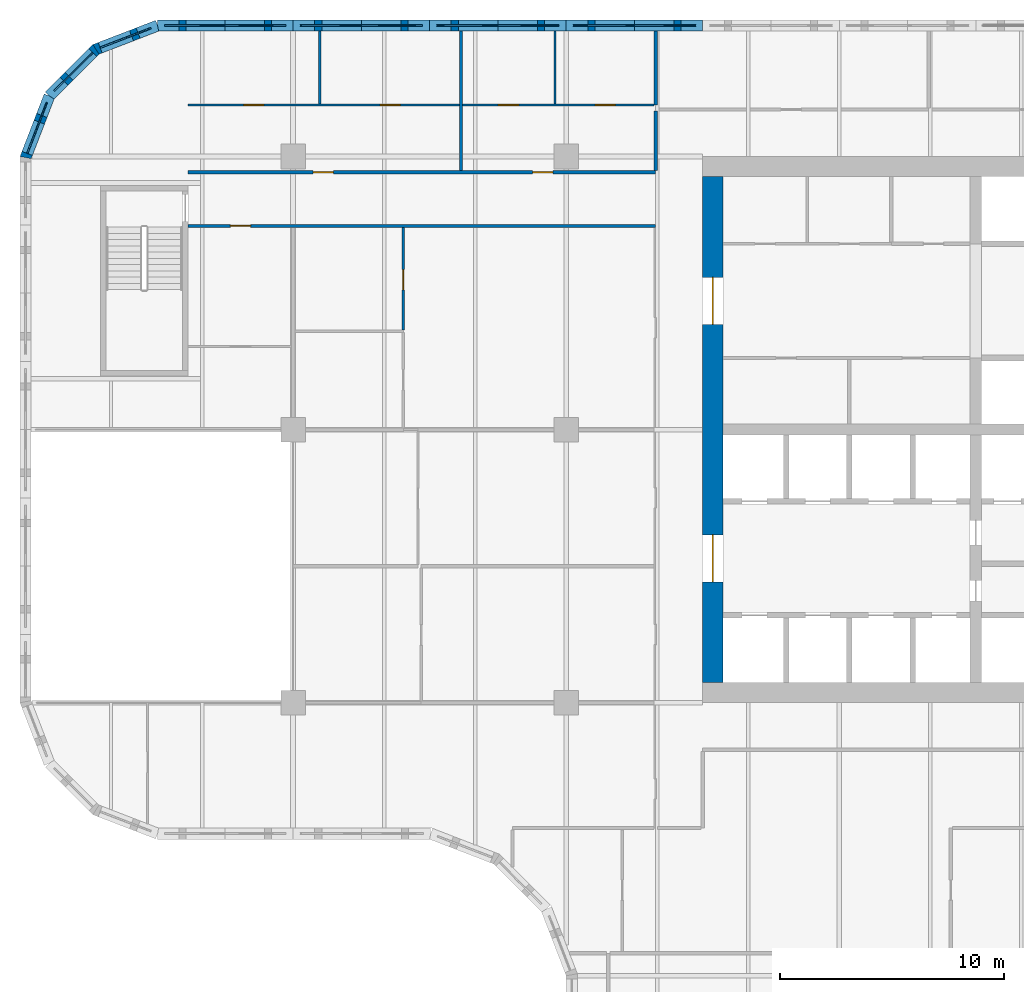
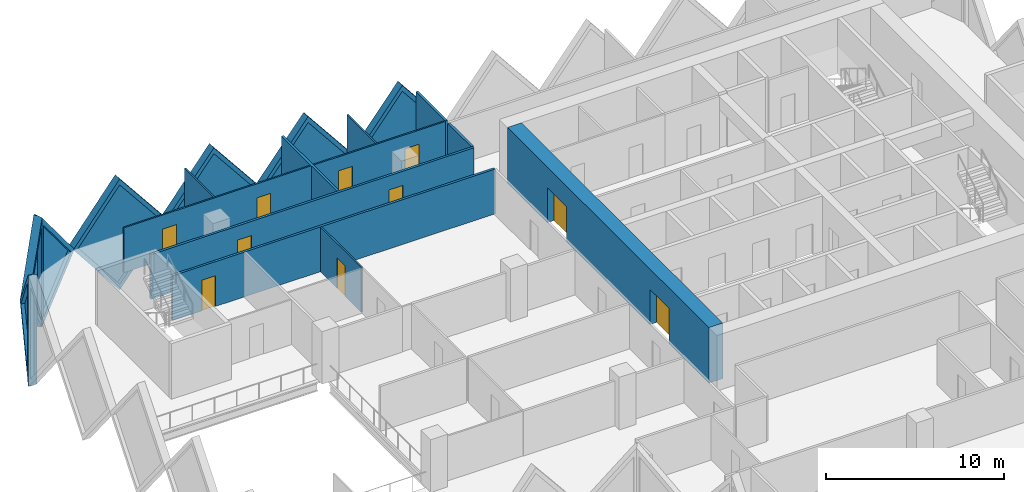
# One storey, part 8 of 18: 18 walls, 10 doors, 7 plates, 17 openings.
"""IFC4 building model written with IfcOpenShell, lengths in metres."""

from ifc_helpers import new_model, si_unit, direction, frame, frame_2d, origin, place, context, subcontext, project, spatial, polyline, rectangle, outline, extrude, faceted_brep, source, transform, mapped, material, layer, layer_set, type_object, element, fill, save


model = new_model("IFC4")

# Units and contexts
model_context = context("Model", 3, precision=1e-05, world=origin(), true_north=direction((0.0, 1.0)))
body_context = subcontext(model_context, "Body", "Model", "MODEL_VIEW")
ifc_project = project(units=[si_unit("LENGTHUNIT", "METRE"), si_unit("AREAUNIT", "SQUARE_METRE"), si_unit("VOLUMEUNIT", "CUBIC_METRE"), si_unit("PLANEANGLEUNIT", "RADIAN"), si_unit("MASSUNIT", "GRAM", prefix="KILO")], contexts=[model_context])

# Site, building, storey
site_placement = place(None, origin())
site = spatial("IfcSite", under=ifc_project, at=site_placement, CompositionType="ELEMENT")
building_placement = place(site_placement, origin())
building = spatial("IfcBuilding", under=site, at=building_placement, Name="Tessera Gate Towers", CompositionType="ELEMENT")
storey_placement = place(building_placement, frame((0.0, 0.0, 37.199951171875)))
storey = spatial("IfcBuildingStorey", under=building, at=storey_placement, Name="L08", CompositionType="ELEMENT", Elevation=37.199951171875)

# Wall, openings, doors
ifc_material_1 = material(Name="Concrete C70/85", Category="concrete")
ifc_layer_1 = layer(ifc_material_1, 0.89990234375)
ifc_layer_set_1 = layer_set([ifc_layer_1], Name="CORE SHEAR WALL 900 C70/85")
wall_type_1 = type_object("IfcWallType", Name="CORE SHEAR WALL 900 C70/85", PredefinedType="SHEAR", material=ifc_layer_set_1)
wall_1_placement = place(storey_placement, frame((30.949951171875, 25.300048828125, 0.0), z_axis=(0.0, 0.0, 1.0), x_axis=(0.0, 1.0, 0.0)))
wall_1 = element("IfcWall", 1, at=wall_1_placement, inside=storey, type_object=wall_type_1, Name="Core wall W L08", PredefinedType="SHEAR", context=body_context, shape_type="SweptSolid", body=[
    extrude(rectangle(XDim=22.599853515625, YDim=0.89990234375, at=frame_2d((11.2998046875, 0.0))), origin(), (0.0, 0.0, 1.0), 3.800048828125),
])
shared_shape_1 = source(origin(), body_context, "Body", "SweptSolid", [
    extrude(rectangle(XDim=2.10009765625, YDim=2.39990234375, at=frame_2d((1.050048828125, 1.199951171875))), frame((0.0, 0.4599609375, 0.0), z_axis=(0.0, -1.0, 0.0), x_axis=(1.0, 0.0, 0.0)), (0.0, 0.0, 1.0), 0.919921875),
])
opening_1_placement = place(wall_1_placement, frame((4.5, 0.0, 0.0)))
opening_1 = element("IfcOpeningElement", 2, at=opening_1_placement, cuts=wall_1, Name="Opening DD-T1-07-02", PredefinedType="OPENING", context=body_context, shape_type="MappedRepresentation", body=[
    mapped(shared_shape_1, transform((0.0, 0.0, 0.0), scale=1.0)),
])
opening_2_placement = place(wall_1_placement, frame((16.0, 0.0, 0.0)))
opening_2 = element("IfcOpeningElement", 3, at=opening_2_placement, cuts=wall_1, Name="Opening DD-T1-07-03", PredefinedType="OPENING", context=body_context, shape_type="MappedRepresentation", body=[
    mapped(shared_shape_1, transform((0.0, 0.0, 0.0), scale=1.0)),
])
ifc_material_2 = material(Name="Hollow steel fire door", Category="steel")
door_type_1 = type_object("IfcDoorType", Name="CORE DOOR DD 2100x2400", OperationType="NOTDEFINED", PredefinedType="DOOR", material=ifc_material_2)
shared_shape_2 = source(origin(), body_context, "Body", "SweptSolid", [
    extrude(rectangle(XDim=2.10009765625, YDim=2.39990234375, at=frame_2d((1.050048828125, 1.199951171875))), frame((0.0, 0.02490234375, 0.0), z_axis=(0.0, -1.0, 0.0), x_axis=(1.0, 0.0, 0.0)), (0.0, 0.0, 1.0), 0.050048828125),
])
door_1_placement = place(opening_1_placement, origin())
door_1 = element("IfcDoor", 4, at=door_1_placement, inside=storey, type_object=door_type_1, Name="Core entrance door", OperationType="DOUBLE_DOOR_SINGLE_SWING", OverallHeight=2.39990234375, OverallWidth=2.10009765625, PredefinedType="DOOR", context=body_context, shape_type="MappedRepresentation", body=[
    mapped(shared_shape_2, transform((0.0, 0.0, 0.0), scale=1.0)),
])
fill(opening_1, door_1)
door_2_placement = place(opening_2_placement, origin())
door_2 = element("IfcDoor", 5, at=door_2_placement, inside=storey, type_object=door_type_1, Name="Core entrance door", OperationType="DOUBLE_DOOR_SINGLE_SWING", OverallHeight=2.39990234375, OverallWidth=2.10009765625, PredefinedType="DOOR", context=body_context, shape_type="MappedRepresentation", body=[
    mapped(shared_shape_2, transform((0.0, 0.0, 0.0), scale=1.0)),
])
fill(opening_2, door_2)

# Wall, opening, door
ifc_material_3 = material(Name="Gypsum board on steel studs, mineral wool", Category="steel")
ifc_layer_2 = layer(ifc_material_3, 0.14990234375)
ifc_layer_set_2 = layer_set([ifc_layer_2], Name="CORRIDOR WALL 150")
wall_type_2 = type_object("IfcWallType", Name="CORRIDOR WALL 150", PredefinedType="PARTITIONING", material=ifc_layer_set_2)
wall_2_placement = place(storey_placement, frame((28.39990234375, 45.699951171875, 0.0), z_axis=(0.0, 0.0, 1.0), x_axis=(-1.0, 0.0, 0.0)))
wall_2 = element("IfcWall", 6, at=wall_2_placement, inside=storey, type_object=wall_type_2, Name="T1-L08-PW-042", PredefinedType="PARTITIONING", context=body_context, shape_type="SweptSolid", body=[
    extrude(rectangle(XDim=20.89990234375, YDim=0.14990234375, at=frame_2d((10.449951171875, 0.0))), origin(), (0.0, 0.0, 1.0), 3.067138671875),
])
shared_shape_3 = source(origin(), body_context, "Body", "SweptSolid", [
    extrude(rectangle(XDim=0.89990234375, YDim=2.10009765625, at=frame_2d((0.449951171875, 1.050048828125))), frame((0.0, 0.0849609375, 0.0), z_axis=(0.0, -1.0, 0.0), x_axis=(1.0, 0.0, 0.0)), (0.0, 0.0, 1.0), 0.169921875),
])
opening_3_placement = place(wall_2_placement, frame((18.10009765625, 0.0, 0.0)))
opening_3 = element("IfcOpeningElement", 7, at=opening_3_placement, cuts=wall_2, Name="Opening D890FD60-A03-02", PredefinedType="OPENING", context=body_context, shape_type="MappedRepresentation", body=[
    mapped(shared_shape_3, transform((0.0, 0.0, 0.0), scale=1.0)),
])
ifc_material_4 = material(Name="Timber door leaf in steel frame", Category="steel")
door_type_2 = type_object("IfcDoorType", Name="CORRIDOR DOOR 900 FD60", OperationType="NOTDEFINED", PredefinedType="DOOR", material=ifc_material_4)
shared_shape_4 = source(origin(), body_context, "Body", "SweptSolid", [
    extrude(rectangle(XDim=0.89990234375, YDim=2.10009765625, at=frame_2d((0.449951171875, 1.050048828125))), frame((0.0, 0.02490234375, 0.0), z_axis=(0.0, -1.0, 0.0), x_axis=(1.0, 0.0, 0.0)), (0.0, 0.0, 1.0), 0.050048828125),
])
door_3_placement = place(opening_3_placement, origin())
door_3 = element("IfcDoor", 8, at=door_3_placement, inside=storey, type_object=door_type_2, Name="T1-L08-PD-007", OperationType="SINGLE_SWING_RIGHT", OverallHeight=2.10009765625, OverallWidth=0.89990234375, PredefinedType="DOOR", context=body_context, shape_type="MappedRepresentation", body=[
    mapped(shared_shape_4, transform((0.0, 0.0, 0.0), scale=1.0)),
])
fill(opening_3, door_3)

# Wall, openings, doors
wall_3_placement = place(storey_placement, frame((7.5, 48.10009765625, 0.0), z_axis=(0.0, 0.0, 1.0), x_axis=(1.0, 0.0, 0.0)))
wall_3 = element("IfcWall", 9, at=wall_3_placement, inside=storey, type_object=wall_type_2, Name="T1-L08-PW-043", PredefinedType="PARTITIONING", context=body_context, shape_type="SweptSolid", body=[
    extrude(rectangle(XDim=20.89990234375, YDim=0.14990234375, at=frame_2d((10.449951171875, 0.0))), origin(), (0.0, 0.0, 1.0), 3.067138671875),
])
opening_4_placement = place(wall_3_placement, frame((15.40087890625, 0.0, 0.0)))
opening_4 = element("IfcOpeningElement", 10, at=opening_4_placement, cuts=wall_3, Name="Opening D890FD60-A03-07", PredefinedType="OPENING", context=body_context, shape_type="MappedRepresentation", body=[
    mapped(shared_shape_3, transform((0.0, 0.0, 0.0), scale=1.0)),
])
opening_5_placement = place(wall_3_placement, frame((5.60009765625, 0.0, 0.0)))
opening_5 = element("IfcOpeningElement", 11, at=opening_5_placement, cuts=wall_3, Name="Opening D890FD60-A03-12", PredefinedType="OPENING", context=body_context, shape_type="MappedRepresentation", body=[
    mapped(shared_shape_3, transform((0.0, 0.0, 0.0), scale=1.0)),
])
door_4_placement = place(opening_4_placement, origin())
door_4 = element("IfcDoor", 12, at=door_4_placement, inside=storey, type_object=door_type_2, Name="T1-L08-PD-022", OperationType="SINGLE_SWING_LEFT", OverallHeight=2.10009765625, OverallWidth=0.89990234375, PredefinedType="DOOR", context=body_context, shape_type="MappedRepresentation", body=[
    mapped(shared_shape_4, transform((0.0, 0.0, 0.0), scale=1.0)),
])
fill(opening_4, door_4)
door_5_placement = place(opening_5_placement, origin())
door_5 = element("IfcDoor", 13, at=door_5_placement, inside=storey, type_object=door_type_2, Name="T1-L08-PD-029", OperationType="SINGLE_SWING_LEFT", OverallHeight=2.10009765625, OverallWidth=0.89990234375, PredefinedType="DOOR", context=body_context, shape_type="MappedRepresentation", body=[
    mapped(shared_shape_4, transform((0.0, 0.0, 0.0), scale=1.0)),
])
fill(opening_5, door_5)

# Wall
wall_4_placement = place(storey_placement, frame((28.39990234375, 48.176025390625, 0.0), z_axis=(0.0, 0.0, 1.0), x_axis=(0.0, 1.0, 0.0)))
element("IfcWall", 14, at=wall_4_placement, inside=storey, type_object=wall_type_2, Name="T1-L08-PW-045", PredefinedType="PARTITIONING", context=body_context, shape_type="SweptSolid", body=[
    extrude(rectangle(XDim=2.64794921875, YDim=0.14990234375, at=frame_2d((1.323974609375, 0.0))), origin(), (0.0, 0.0, 1.0), 3.067138671875),
])

# Wall, opening, door
ifc_material_5 = material(Name="Gypsum board on steel studs", Category="steel")
ifc_layer_3 = layer(ifc_material_5, 0.10009765625)
ifc_layer_set_3 = layer_set([ifc_layer_3], Name="PARTITION 100")
wall_type_3 = type_object("IfcWallType", Name="PARTITION 100", PredefinedType="PARTITIONING", material=ifc_layer_set_3)
wall_5_placement = place(storey_placement, frame((17.125, 41.047119140625, 0.0), z_axis=(0.0, 0.0, 1.0), x_axis=(0.0, 1.0, 0.0)))
wall_5 = element("IfcWall", 15, at=wall_5_placement, inside=storey, type_object=wall_type_3, Name="T1-L08-PW-041", PredefinedType="PARTITIONING", context=body_context, shape_type="SweptSolid", body=[
    extrude(rectangle(XDim=4.576904296875, YDim=0.10009765625, at=frame_2d((2.28857421875, 0.0))), origin(), (0.0, 0.0, 1.0), 3.067138671875),
])
shared_shape_5 = source(origin(), body_context, "Body", "SweptSolid", [
    extrude(rectangle(XDim=0.89990234375, YDim=2.10009765625, at=frame_2d((0.449951171875, 1.050048828125))), frame((0.0, 0.06005859375, 0.0), z_axis=(0.0, -1.0, 0.0), x_axis=(1.0, 0.0, 0.0)), (0.0, 0.0, 1.0), 0.1201171875),
])
opening_6_placement = place(wall_5_placement, frame((1.800048828125, 0.0, 0.0)))
opening_6 = element("IfcOpeningElement", 16, at=opening_6_placement, cuts=wall_5, Name="Opening D190-A03-04", PredefinedType="OPENING", context=body_context, shape_type="MappedRepresentation", body=[
    mapped(shared_shape_5, transform((0.0, 0.0, 0.0), scale=1.0)),
])
ifc_material_6 = material(Name="Timber door leaf in steel frame", Category="steel")
door_type_3 = type_object("IfcDoorType", Name="INTERNAL DOOR 900 NOT RATED", OperationType="NOTDEFINED", PredefinedType="DOOR", material=ifc_material_6)
door_6_placement = place(opening_6_placement, origin())
door_6 = element("IfcDoor", 17, at=door_6_placement, inside=storey, type_object=door_type_3, Name="T1-L08-PD-005", OperationType="SINGLE_SWING_LEFT", OverallHeight=2.10009765625, OverallWidth=0.89990234375, PredefinedType="DOOR", context=body_context, shape_type="MappedRepresentation", body=[
    mapped(shared_shape_4, transform((0.0, 0.0, 0.0), scale=1.0)),
])
fill(opening_6, door_6)

# Wall, openings, doors
wall_6_placement = place(storey_placement, frame((7.5, 51.10009765625, 0.0), z_axis=(0.0, 0.0, 1.0), x_axis=(1.0, 0.0, 0.0)))
wall_6 = element("IfcWall", 18, at=wall_6_placement, inside=storey, type_object=wall_type_3, Name="T1-L08-PW-049", PredefinedType="PARTITIONING", context=body_context, shape_type="SweptSolid", body=[
    extrude(rectangle(XDim=12.1240234375, YDim=0.10009765625, at=frame_2d((6.06201171875, 0.0))), origin(), (0.0, 0.0, 1.0), 3.067138671875),
])
opening_7_placement = place(wall_6_placement, frame((2.5, 0.0, 0.0)))
opening_7 = element("IfcOpeningElement", 19, at=opening_7_placement, cuts=wall_6, Name="Opening D190-A03-07", PredefinedType="OPENING", context=body_context, shape_type="MappedRepresentation", body=[
    mapped(shared_shape_5, transform((0.0, 0.0, 0.0), scale=1.0)),
])
opening_8_placement = place(wall_6_placement, frame((8.59375, 0.0, 0.0)))
opening_8 = element("IfcOpeningElement", 20, at=opening_8_placement, cuts=wall_6, Name="Opening D190-A03-10", PredefinedType="OPENING", context=body_context, shape_type="MappedRepresentation", body=[
    mapped(shared_shape_5, transform((0.0, 0.0, 0.0), scale=1.0)),
])
door_7_placement = place(opening_7_placement, origin())
door_7 = element("IfcDoor", 21, at=door_7_placement, inside=storey, type_object=door_type_3, Name="T1-L08-PD-011", OperationType="SINGLE_SWING_LEFT", OverallHeight=2.10009765625, OverallWidth=0.89990234375, PredefinedType="DOOR", context=body_context, shape_type="MappedRepresentation", body=[
    mapped(shared_shape_4, transform((0.0, 0.0, 0.0), scale=1.0)),
])
fill(opening_7, door_7)
door_8_placement = place(opening_8_placement, origin())
door_8 = element("IfcDoor", 22, at=door_8_placement, inside=storey, type_object=door_type_3, Name="T1-L08-PD-018", OperationType="SINGLE_SWING_LEFT", OverallHeight=2.10009765625, OverallWidth=0.89990234375, PredefinedType="DOOR", context=body_context, shape_type="MappedRepresentation", body=[
    mapped(shared_shape_4, transform((0.0, 0.0, 0.0), scale=1.0)),
])
fill(opening_8, door_8)

wall_7_placement = place(storey_placement, frame((19.77587890625, 51.10009765625, 0.0), z_axis=(0.0, 0.0, 1.0), x_axis=(1.0, 0.0, 0.0)))
wall_7 = element("IfcWall", 23, at=wall_7_placement, inside=storey, type_object=wall_type_3, Name="T1-L08-PW-050", PredefinedType="PARTITIONING", context=body_context, shape_type="SweptSolid", body=[
    extrude(rectangle(XDim=8.548095703125, YDim=0.10009765625, at=frame_2d((4.27392578125, 0.0))), origin(), (0.0, 0.0, 1.0), 3.067138671875),
])
opening_9_placement = place(wall_7_placement, frame((1.60009765625, 0.0, 0.0)))
opening_9 = element("IfcOpeningElement", 24, at=opening_9_placement, cuts=wall_7, Name="Opening D190-A03-01", PredefinedType="OPENING", context=body_context, shape_type="MappedRepresentation", body=[
    mapped(shared_shape_5, transform((0.0, 0.0, 0.0), scale=1.0)),
])
opening_10_placement = place(wall_7_placement, frame((5.927001953125, 0.0, 0.0)))
opening_10 = element("IfcOpeningElement", 25, at=opening_10_placement, cuts=wall_7, Name="Opening D190-A03-03", PredefinedType="OPENING", context=body_context, shape_type="MappedRepresentation", body=[
    mapped(shared_shape_5, transform((0.0, 0.0, 0.0), scale=1.0)),
])
door_9_placement = place(opening_9_placement, origin())
door_9 = element("IfcDoor", 26, at=door_9_placement, inside=storey, type_object=door_type_3, Name="T1-L08-PD-002", OperationType="SINGLE_SWING_LEFT", OverallHeight=2.10009765625, OverallWidth=0.89990234375, PredefinedType="DOOR", context=body_context, shape_type="MappedRepresentation", body=[
    mapped(shared_shape_4, transform((0.0, 0.0, 0.0), scale=1.0)),
])
fill(opening_9, door_9)
door_10_placement = place(opening_10_placement, origin())
door_10 = element("IfcDoor", 27, at=door_10_placement, inside=storey, type_object=door_type_3, Name="T1-L08-PD-004", OperationType="SINGLE_SWING_LEFT", OverallHeight=2.10009765625, OverallWidth=0.89990234375, PredefinedType="DOOR", context=body_context, shape_type="MappedRepresentation", body=[
    mapped(shared_shape_4, transform((0.0, 0.0, 0.0), scale=1.0)),
])
fill(opening_10, door_10)

# Walls
for number, where, z_axis, x_axis, name in (
    (28, (13.39404296875, 51.15087890625, 0.0), (0.0, 0.0, 1.0), (0.0, 1.0, 0.0), "T1-L08-PW-052"),
    (29, (23.903076171875, 51.15087890625, 0.0), (0.0, 0.0, 1.0), (0.0, 1.0, 0.0), "T1-L08-PW-053"),
):
    element("IfcWall", number, at=place(storey_placement, frame(where, z_axis=z_axis, x_axis=x_axis)), inside=storey, type_object=wall_type_3, Name=name, PredefinedType="PARTITIONING", context=body_context, shape_type="SweptSolid", body=[
        extrude(rectangle(XDim=3.2490234375, YDim=0.10009765625, at=frame_2d((1.62451171875, 0.0))), origin(), (0.0, 0.0, 1.0), 3.067138671875),
    ])
ifc_material_7 = material(Name="Gypsum board on steel studs, mineral wool", Category="steel")
ifc_layer_4 = layer(ifc_material_7, 0.14990234375)
ifc_layer_set_4 = layer_set([ifc_layer_4], Name="TENANCY WALL 150")
wall_type_4 = type_object("IfcWallType", Name="TENANCY WALL 150", PredefinedType="PARTITIONING", material=ifc_layer_set_4)
wall_8_placement = place(storey_placement, frame((19.699951171875, 48.176025390625, 0.0), z_axis=(0.0, 0.0, 1.0), x_axis=(0.0, 1.0, 0.0)))
element("IfcWall", 30, at=wall_8_placement, inside=storey, type_object=wall_type_4, Name="T1-L08-PW-044", PredefinedType="PARTITIONING", context=body_context, shape_type="SweptSolid", body=[
    extrude(rectangle(XDim=6.223876953125, YDim=0.14990234375, at=frame_2d((3.11181640625, 0.0))), origin(), (0.0, 0.0, 1.0), 3.067138671875),
])
wall_9_placement = place(storey_placement, frame((28.39990234375, 51.10009765625, 0.0), z_axis=(0.0, 0.0, 1.0), x_axis=(0.0, 1.0, 0.0)))
element("IfcWall", 31, at=wall_9_placement, inside=storey, type_object=wall_type_4, Name="T1-L08-PW-051", PredefinedType="PARTITIONING", context=body_context, shape_type="SweptSolid", body=[
    extrude(rectangle(XDim=3.2998046875, YDim=0.14990234375, at=frame_2d((1.64990234375, 0.0))), origin(), (0.0, 0.0, 1.0), 3.067138671875),
])

# Wall, opening, plate
ifc_material_8 = material(Name="Precast concrete C60/75 white", Category="concrete")
ifc_layer_5 = layer(ifc_material_8, 0.5)
ifc_layer_set_5 = layer_set([ifc_layer_5], Name="TS1 tessera")
wall_type_5 = type_object("IfcWallType", Name="TS1 tessera", PredefinedType="SOLIDWALL", material=ifc_layer_set_5)
shared_shape_6 = source(origin(), body_context, "Body", "Brep", [
    faceted_brep([(3.050048828125, -0.25, 0.0), (6.099853515625, -0.25, 3.7998046875), (6.099853515625, -0.25, 3.80029296875), (3.050048828125, -0.25, 7.60009765625), (0.0, -0.25, 3.800048828125), (0.0, 0.25, 3.800048828125), (3.050048828125, 0.25, 7.60009765625), (6.099853515625, 0.25, 3.80029296875), (6.099853515625, 0.25, 3.7998046875), (3.050048828125, 0.25, 0.0)], [[[0, 1, 2, 3, 4]], [[5, 6, 7, 8, 9]], [[9, 8, 1, 0]], [[7, 6, 3, 2]], [[6, 5, 4, 3]], [[5, 9, 0, 4]], [[1, 8, 7, 2]]]),
])
wall_10_placement = place(storey_placement, frame((24.39990234375, 54.64990234375, -3.800048828125), z_axis=(0.0, 0.0, 1.0), x_axis=(-1.0, 0.0, 0.0)))
wall_10 = element("IfcWall", 32, at=wall_10_placement, inside=storey, type_object=wall_type_5, Name="Precast tessera T1 TS1-0084", PredefinedType="SOLIDWALL", context=body_context, shape_type="MappedRepresentation", body=[
    mapped(shared_shape_6, transform((0.0, 0.0, 0.0), scale=1.0)),
])
shared_shape_7 = source(origin(), body_context, "Body", "SweptSolid", [
    extrude(outline(polyline([(3.050048828125, 0.3994140625), (5.779541015625, 3.800048828125), (3.050048828125, 7.20068359375), (0.320556640625, 3.800048828125), (3.050048828125, 0.3994140625)])), frame((0.0, 0.260009765625, 0.0), z_axis=(0.0, -1.0, 0.0), x_axis=(1.0, 0.0, 0.0)), (0.0, 0.0, 1.0), 0.52001953125),
])
opening_11_placement = place(wall_10_placement, origin())
opening_11 = element("IfcOpeningElement", 33, at=opening_11_placement, cuts=wall_10, Name="Opening T1-PL2-0164", PredefinedType="OPENING", context=body_context, shape_type="MappedRepresentation", body=[
    mapped(shared_shape_7, transform((0.0, 0.0, 0.0), scale=1.0)),
])
ifc_material_9 = material(Name="Low-e laminated glass", Category="glass")
ifc_layer_6 = layer(ifc_material_9, 0.06005859375)
ifc_layer_set_6 = layer_set([ifc_layer_6], Name="PL2 rhombic pane")
plate_type = type_object("IfcPlateType", Name="PL2 rhombic pane", PredefinedType="SHEET", material=ifc_layer_set_6)
shared_shape_8 = source(origin(), body_context, "Body", "SweptSolid", [
    extrude(outline(polyline([(3.050048828125, 0.3994140625), (5.779541015625, 3.800048828125), (3.050048828125, 7.20068359375), (0.320556640625, 3.800048828125), (3.050048828125, 0.3994140625)])), frame((0.0, 0.030029296875, 0.0), z_axis=(0.0, -1.0, 0.0), x_axis=(1.0, 0.0, 0.0)), (0.0, 0.0, 1.0), 0.06005859375),
])
plate_1_placement = place(opening_11_placement, origin())
plate_1 = element("IfcPlate", 34, at=plate_1_placement, inside=storey, type_object=plate_type, Name="Glass pane T1 PL2-0164", PredefinedType="SHEET", context=body_context, shape_type="MappedRepresentation", body=[
    mapped(shared_shape_8, transform((0.0, 0.0, 0.0), scale=1.0)),
])
fill(opening_11, plate_1)

shared_shape_9 = source(origin(), body_context, "Body", "SweptSolid", [
    extrude(outline(polyline([(3.050048828125, 0.0), (6.10009765625, 3.800048828125), (3.050048828125, 7.60009765625), (0.0, 3.800048828125), (3.050048828125, 0.0)])), frame((0.0, 0.25, 0.0), z_axis=(0.0, -1.0, 0.0), x_axis=(1.0, 0.0, 0.0)), (0.0, 0.0, 1.0), 0.5),
])
wall_11_placement = place(storey_placement, frame((30.5, 54.64990234375, -3.800048828125), z_axis=(0.0, 0.0, 1.0), x_axis=(-1.0, 0.0, 0.0)))
wall_11 = element("IfcWall", 35, at=wall_11_placement, inside=storey, type_object=wall_type_5, Name="Precast tessera T1 TS1-0083", PredefinedType="SOLIDWALL", context=body_context, shape_type="MappedRepresentation", body=[
    mapped(shared_shape_9, transform((0.0, 0.0, 0.0), scale=1.0)),
])
opening_12_placement = place(wall_11_placement, origin())
opening_12 = element("IfcOpeningElement", 36, at=opening_12_placement, cuts=wall_11, Name="Opening T1-PL2-0163", PredefinedType="OPENING", context=body_context, shape_type="MappedRepresentation", body=[
    mapped(shared_shape_7, transform((0.0, 0.0, 0.0), scale=1.0)),
])
plate_2_placement = place(opening_12_placement, origin())
plate_2 = element("IfcPlate", 37, at=plate_2_placement, inside=storey, type_object=plate_type, Name="Glass pane T1 PL2-0163", PredefinedType="SHEET", context=body_context, shape_type="MappedRepresentation", body=[
    mapped(shared_shape_8, transform((0.0, 0.0, 0.0), scale=1.0)),
])
fill(opening_12, plate_2)

wall_12_placement = place(storey_placement, frame((18.300048828125, 54.64990234375, -3.800048828125), z_axis=(0.0, 0.0, 1.0), x_axis=(-1.0, 0.0, 0.0)))
wall_12 = element("IfcWall", 38, at=wall_12_placement, inside=storey, type_object=wall_type_5, Name="Precast tessera T1 TS1-0085", PredefinedType="SOLIDWALL", context=body_context, shape_type="MappedRepresentation", body=[
    mapped(shared_shape_9, transform((0.0, 0.0, 0.0), scale=1.0)),
])
opening_13_placement = place(wall_12_placement, origin())
opening_13 = element("IfcOpeningElement", 39, at=opening_13_placement, cuts=wall_12, Name="Opening T1-PL2-0165", PredefinedType="OPENING", context=body_context, shape_type="MappedRepresentation", body=[
    mapped(shared_shape_7, transform((0.0, 0.0, 0.0), scale=1.0)),
])
plate_3_placement = place(opening_13_placement, origin())
plate_3 = element("IfcPlate", 40, at=plate_3_placement, inside=storey, type_object=plate_type, Name="Glass pane T1 PL2-0165", PredefinedType="SHEET", context=body_context, shape_type="MappedRepresentation", body=[
    mapped(shared_shape_8, transform((0.0, 0.0, 0.0), scale=1.0)),
])
fill(opening_13, plate_3)

shared_shape_10 = source(origin(), body_context, "Body", "Brep", [
    faceted_brep([(3.050048828125, -0.25, 0.0), (6.053466796875, -0.25, 3.800048828125), (3.050048828125, -0.25, 7.60009765625), (0.0, -0.25, 3.800048828125), (0.0, 0.25, 3.800048828125), (3.050048828125, 0.25, 7.60009765625), (6.0068359375, 0.25, 3.85888671875), (6.0068359375, 0.25, 3.7412109375), (3.050048828125, 0.25, 0.0), (6.053466796875, 0.0, 3.800048828125)], [[[0, 1, 2, 3]], [[4, 5, 6, 7, 8]], [[8, 7, 9, 1, 0]], [[6, 5, 2, 1, 9]], [[5, 4, 3, 2]], [[4, 8, 0, 3]], [[9, 7, 6]]]),
])
wall_13_placement = place(storey_placement, frame((12.199951171875, 54.64990234375, -3.800048828125), z_axis=(0.0, 0.0, 1.0), x_axis=(-1.0, 0.0, 0.0)))
wall_13 = element("IfcWall", 41, at=wall_13_placement, inside=storey, type_object=wall_type_5, Name="Precast tessera T1 TS1-0086", PredefinedType="SOLIDWALL", context=body_context, shape_type="MappedRepresentation", body=[
    mapped(shared_shape_10, transform((0.0, 0.0, 0.0), scale=1.0)),
])
shared_shape_11 = source(origin(), body_context, "Body", "SweptSolid", [
    extrude(outline(polyline([(3.048583984375, 0.4013671875), (5.73486328125, 3.800048828125), (3.048583984375, 7.19873046875), (0.320556640625, 3.800048828125), (3.048583984375, 0.4013671875)])), frame((0.0, 0.260009765625, 0.0), z_axis=(0.0, -1.0, 0.0), x_axis=(1.0, 0.0, 0.0)), (0.0, 0.0, 1.0), 0.52001953125),
])
opening_14_placement = place(wall_13_placement, origin())
opening_14 = element("IfcOpeningElement", 42, at=opening_14_placement, cuts=wall_13, Name="Opening T1-PL2-0166", PredefinedType="OPENING", context=body_context, shape_type="MappedRepresentation", body=[
    mapped(shared_shape_11, transform((0.0, 0.0, 0.0), scale=1.0)),
])
shared_shape_12 = source(origin(), body_context, "Body", "SweptSolid", [
    extrude(outline(polyline([(3.048583984375, 0.4013671875), (5.73486328125, 3.800048828125), (3.048583984375, 7.19873046875), (0.320556640625, 3.800048828125), (3.048583984375, 0.4013671875)])), frame((0.0, 0.030029296875, 0.0), z_axis=(0.0, -1.0, 0.0), x_axis=(1.0, 0.0, 0.0)), (0.0, 0.0, 1.0), 0.06005859375),
])
plate_4_placement = place(opening_14_placement, origin())
plate_4 = element("IfcPlate", 43, at=plate_4_placement, inside=storey, type_object=plate_type, Name="Glass pane T1 PL2-0166", PredefinedType="SHEET", context=body_context, shape_type="MappedRepresentation", body=[
    mapped(shared_shape_12, transform((0.0, 0.0, 0.0), scale=1.0)),
])
fill(opening_14, plate_4)

ifc_material_10 = material(Name="Precast concrete C60/75 white", Category="concrete")
ifc_layer_7 = layer(ifc_material_10, 0.5)
ifc_layer_set_7 = layer_set([ifc_layer_7], Name="TS3 corner tessera")
wall_type_6 = type_object("IfcWallType", Name="TS3 corner tessera", PredefinedType="SOLIDWALL", material=ifc_layer_set_7)
shared_shape_13 = source(origin(), body_context, "Body", "Brep", [
    faceted_brep([(2.950439453125, -0.25, 0.0), (3.00341796875, -0.25, 0.068359375), (3.00341796875, -0.25, 7.53173828125), (2.950439453125, -0.25, 7.60009765625), (0.0, -0.25, 3.800048828125), (0.046630859375, 0.25, 3.860107421875), (2.897705078125, 0.25, 7.531982421875), (2.897705078125, 0.25, 0.068115234375), (0.046630859375, 0.25, 3.739990234375), (2.950439453125, 0.00048828125, 0.0), (2.950439453125, 0.00048828125, 7.60009765625), (0.0, 0.0, 3.800048828125)], [[[0, 1, 2, 3, 4]], [[5, 6, 7, 8]], [[1, 0, 9]], [[10, 3, 2]], [[6, 5, 11, 4, 3, 10]], [[8, 7, 9, 0, 4, 11]], [[8, 11, 5]], [[1, 9, 7, 6, 10, 2]]]),
])
wall_14_placement = place(storey_placement, frame((6.146484375, 54.64990234375, -3.800048828125), z_axis=(0.0, 0.0, 1.0), x_axis=(-0.932997369089, -0.359883188373, 0.0)))
wall_14 = element("IfcWall", 44, at=wall_14_placement, inside=storey, type_object=wall_type_6, Name="Precast corner tessera T1 TS3-0153", PredefinedType="SOLIDWALL", context=body_context, shape_type="MappedRepresentation", body=[
    mapped(shared_shape_13, transform((0.0, 0.0, 0.0), scale=1.0)),
])
shared_shape_14 = source(origin(), body_context, "Body", "SweptSolid", [
    extrude(outline(polyline([(2.75048828125, 6.934814453125), (0.31640625, 3.800048828125), (2.75048828125, 0.665283203125), (2.75048828125, 6.934814453125)])), frame((0.0, 0.260009765625, 0.0), z_axis=(0.0, -1.0, 0.0), x_axis=(1.0, 0.0, 0.0)), (0.0, 0.0, 1.0), 0.52001953125),
])
opening_15_placement = place(wall_14_placement, origin())
opening_15 = element("IfcOpeningElement", 45, at=opening_15_placement, cuts=wall_14, Name="Opening T1-PL2-0167", PredefinedType="OPENING", context=body_context, shape_type="MappedRepresentation", body=[
    mapped(shared_shape_14, transform((0.0, 0.0, 0.0), scale=1.0)),
])
shared_shape_15 = source(origin(), body_context, "Body", "SweptSolid", [
    extrude(outline(polyline([(2.75048828125, 6.934814453125), (0.31640625, 3.800048828125), (2.75048828125, 0.665283203125), (2.75048828125, 6.934814453125)])), frame((0.0, 0.030029296875, 0.0), z_axis=(0.0, -1.0, 0.0), x_axis=(1.0, 0.0, 0.0)), (0.0, 0.0, 1.0), 0.06005859375),
])
plate_5_placement = place(opening_15_placement, origin())
plate_5 = element("IfcPlate", 46, at=plate_5_placement, inside=storey, type_object=plate_type, Name="Glass pane T1 PL2-0167", PredefinedType="SHEET", context=body_context, shape_type="MappedRepresentation", body=[
    mapped(shared_shape_15, transform((0.0, 0.0, 0.0), scale=1.0)),
])
fill(opening_15, plate_5)

shared_shape_16 = source(origin(), body_context, "Body", "Brep", [
    faceted_brep([(0.052978515625, -0.25, 0.0), (2.9970703125, -0.25, 3.800048828125), (0.052978515625, -0.25, 7.60009765625), (0.0, -0.25, 7.531982421875), (0.0, -0.25, 0.068115234375), (0.10595703125, 0.25, 7.53173828125), (2.944091796875, 0.25, 3.8681640625), (2.944091796875, 0.25, 3.73193359375), (0.10595703125, 0.25, 0.068359375), (2.9970703125, 0.000244140625, 3.800048828125), (0.052978515625, 0.0, 0.0), (0.052978515625, 0.0, 7.60009765625)], [[[0, 1, 2, 3, 4]], [[5, 6, 7, 8]], [[8, 7, 9, 1, 0, 10]], [[6, 5, 11, 2, 1, 9]], [[3, 2, 11]], [[10, 0, 4]], [[8, 10, 4, 3, 11, 5]], [[9, 7, 6]]]),
])
wall_15_placement = place(storey_placement, frame((3.43115234375, 53.62548828125, -3.800048828125), z_axis=(0.0, 0.0, 1.0), x_axis=(-0.707106781187, -0.707106781187, 0.0)))
wall_15 = element("IfcWall", 47, at=wall_15_placement, inside=storey, type_object=wall_type_6, Name="Precast corner tessera T1 TS3-0154", PredefinedType="SOLIDWALL", context=body_context, shape_type="MappedRepresentation", body=[
    mapped(shared_shape_16, transform((0.0, 0.0, 0.0), scale=1.0)),
])
shared_shape_17 = source(origin(), body_context, "Body", "SweptSolid", [
    extrude(outline(polyline([(0.2529296875, 0.66650390625), (2.680908203125, 3.800048828125), (0.2529296875, 6.933837890625), (0.2529296875, 0.66650390625)])), frame((0.0, 0.260009765625, 0.0), z_axis=(0.0, -1.0, 0.0), x_axis=(1.0, 0.0, 0.0)), (0.0, 0.0, 1.0), 0.52001953125),
])
opening_16_placement = place(wall_15_placement, origin())
opening_16 = element("IfcOpeningElement", 48, at=opening_16_placement, cuts=wall_15, Name="Opening T1-PL2-0168", PredefinedType="OPENING", context=body_context, shape_type="MappedRepresentation", body=[
    mapped(shared_shape_17, transform((0.0, 0.0, 0.0), scale=1.0)),
])
shared_shape_18 = source(origin(), body_context, "Body", "SweptSolid", [
    extrude(outline(polyline([(0.2529296875, 0.66650390625), (2.680908203125, 3.800048828125), (0.2529296875, 6.933837890625), (0.2529296875, 0.66650390625)])), frame((0.0, 0.030029296875, 0.0), z_axis=(0.0, -1.0, 0.0), x_axis=(1.0, 0.0, 0.0)), (0.0, 0.0, 1.0), 0.06005859375),
])
plate_6_placement = place(opening_16_placement, origin())
plate_6 = element("IfcPlate", 49, at=plate_6_placement, inside=storey, type_object=plate_type, Name="Glass pane T1 PL2-0168", PredefinedType="SHEET", context=body_context, shape_type="MappedRepresentation", body=[
    mapped(shared_shape_18, transform((0.0, 0.0, 0.0), scale=1.0)),
])
fill(opening_16, plate_6)

shared_shape_19 = source(origin(), body_context, "Body", "Brep", [
    faceted_brep([(2.950439453125, -0.25, 0.0), (2.9970703125, -0.25, 0.05908203125), (2.9970703125, -0.25, 7.541015625), (2.950439453125, -0.25, 7.60009765625), (0.0, -0.25, 3.800048828125), (0.052978515625, 0.25, 3.8681640625), (2.904052734375, 0.25, 7.540283203125), (2.904052734375, 0.25, 0.059814453125), (0.052978515625, 0.25, 3.73193359375), (2.950439453125, 0.00048828125, 0.0), (2.950439453125, 0.00048828125, 7.60009765625), (0.0, 0.0, 3.800048828125)], [[[0, 1, 2, 3, 4]], [[5, 6, 7, 8]], [[1, 0, 9]], [[10, 3, 2]], [[6, 5, 11, 4, 3, 10]], [[8, 7, 9, 0, 4, 11]], [[8, 11, 5]], [[1, 9, 7, 6, 10, 2]]]),
])
wall_16_placement = place(storey_placement, frame((1.31201171875, 51.50634765625, -3.800048828125), z_axis=(0.0, 0.0, 1.0), x_axis=(-0.359944998003, -0.932973525033, 0.0)))
wall_16 = element("IfcWall", 50, at=wall_16_placement, inside=storey, type_object=wall_type_6, Name="Precast corner tessera T1 TS3-0155", PredefinedType="SOLIDWALL", context=body_context, shape_type="MappedRepresentation", body=[
    mapped(shared_shape_19, transform((0.0, 0.0, 0.0), scale=1.0)),
])
opening_17_placement = place(wall_16_placement, origin())
opening_17 = element("IfcOpeningElement", 51, at=opening_17_placement, cuts=wall_16, Name="Opening T1-PL2-0169", PredefinedType="OPENING", context=body_context, shape_type="MappedRepresentation", body=[
    mapped(shared_shape_14, transform((0.0, 0.0, 0.0), scale=1.0)),
])
plate_7_placement = place(opening_17_placement, origin())
plate_7 = element("IfcPlate", 52, at=plate_7_placement, inside=storey, type_object=plate_type, Name="Glass pane T1 PL2-0169", PredefinedType="SHEET", context=body_context, shape_type="MappedRepresentation", body=[
    mapped(shared_shape_15, transform((0.0, 0.0, 0.0), scale=1.0)),
])
fill(opening_17, plate_7)

save(model, "model.ifc")
